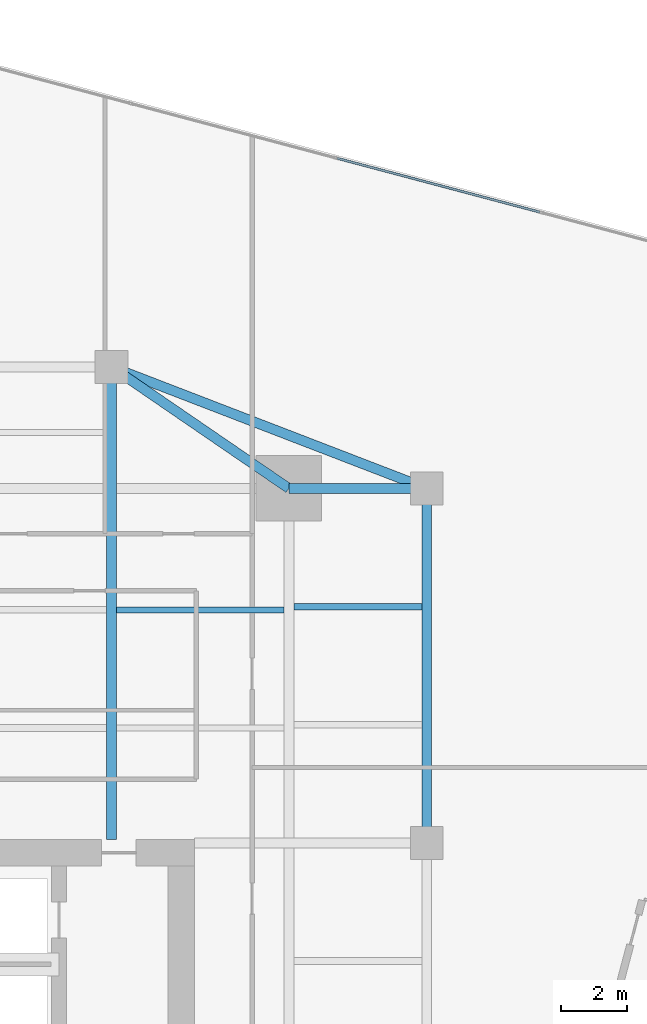
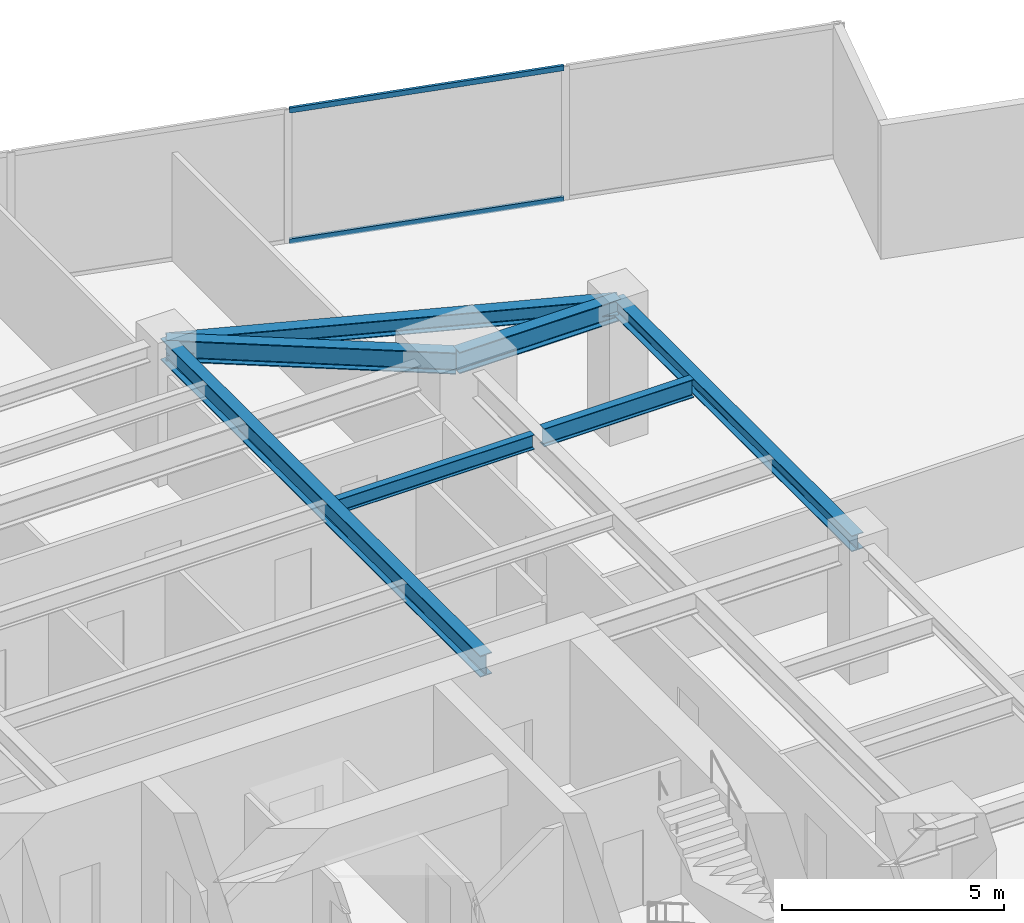
# One storey, part 19 of 27: 7 beams, 2 members, 1 element without a shape of its own.
"""IFC4 building model written with IfcOpenShell, lengths in metres."""

from ifc_helpers import new_model, si_unit, direction, frame, origin, origin_2d, place, context, subcontext, project, spatial, hollow_rectangle, i_section, extrude, source, transform, mapped, material, material_profile, profile_set, type_object, type_shapes, element, aggregate, save


model = new_model("IFC4")

# Units and contexts
model_context = context("Model", 3, precision=1e-05, world=origin(), true_north=direction((0.0, 1.0)))
body_context = subcontext(model_context, "Body", "Model", "MODEL_VIEW")
ifc_project = project(units=[si_unit("LENGTHUNIT", "METRE"), si_unit("AREAUNIT", "SQUARE_METRE"), si_unit("VOLUMEUNIT", "CUBIC_METRE"), si_unit("PLANEANGLEUNIT", "RADIAN"), si_unit("MASSUNIT", "GRAM", prefix="KILO")], contexts=[model_context])

# Site, building, storey
site_placement = place(None, origin())
site = spatial("IfcSite", under=ifc_project, at=site_placement, CompositionType="ELEMENT")
building_placement = place(site_placement, origin())
building = spatial("IfcBuilding", under=site, at=building_placement, Name="Krantzveldt Concourse Tower", CompositionType="ELEMENT")
storey_placement = place(building_placement, frame((0.0, 0.0, 105.85009765625)))
storey = spatial("IfcBuildingStorey", under=building, at=storey_placement, Name="L25", CompositionType="ELEMENT", Elevation=105.85009765625)

# Beams
ifc_material_1 = material(Name="Steel S355JR", Category="steel")
ifc_material_profile_1 = material_profile(ifc_material_1, i_section(OverallWidth=0.300048828125, OverallDepth=0.590087890625, WebThickness=0.012939453125, FlangeThickness=0.02490234375, FilletRadius=0.027099609375, at=origin_2d()), Name="Steel S355JR", Category="steel")
ifc_profile_set_1 = profile_set([ifc_material_profile_1], Name="Steel S355JR - HEA 600")
beam_type_1 = type_object("IfcBeamType", Name="BM-B-HEA600", PredefinedType="BEAM", material=ifc_profile_set_1)
shared_shape_1 = source(origin(), body_context, "Body", "SweptSolid", [
    extrude(i_section(OverallWidth=0.300048828125, OverallDepth=0.590087890625, WebThickness=0.012939453125, FlangeThickness=0.02490234375, FilletRadius=0.027099609375, at=origin_2d()), origin(), (0.0, 0.0, 1.0), 14.39990234375),
])
beam_1_placement = place(storey_placement, frame((41.39990234375, 26.800048828125, 3.375), z_axis=(0.0, 1.0, 0.0), x_axis=(-1.0, 0.0, 0.0)))
element("IfcBeam", 1, at=beam_1_placement, inside=storey, type_object=beam_type_1, Name="L25 Tower Girder BG-CNE", PredefinedType="BEAM", context=body_context, shape_type="MappedRepresentation", body=[
    mapped(shared_shape_1, transform((0.0, 0.0, 0.0), x_axis=(1.0, 0.0, 0.0), y_axis=(0.0, 1.0, 0.0), z_axis=(0.0, 0.0, 1.0), scale=1.0)),
])
ifc_material_profile_2 = material_profile(ifc_material_1, i_section(OverallWidth=0.300048828125, OverallDepth=0.43994140625, WebThickness=0.011474609375, FlangeThickness=0.02099609375, FilletRadius=0.027099609375, at=origin_2d()), Name="Steel S355JR", Category="steel")
ifc_profile_set_2 = profile_set([ifc_material_profile_2], Name="Steel S355JR - HEA 450")
beam_type_2 = type_object("IfcBeamType", Name="BM-SP-HEA450", PredefinedType="SPANDREL", material=ifc_profile_set_2)
shared_shape_2 = source(origin(), body_context, "Body", "SweptSolid", [
    extrude(i_section(OverallWidth=0.300048828125, OverallDepth=0.43994140625, WebThickness=0.011474609375, FlangeThickness=0.02099609375, FilletRadius=0.027099609375, at=origin_2d()), origin(), (0.0, 0.0, 1.0), 10.800048828125),
])
beam_2_placement = place(storey_placement, frame((51.0, 37.5, 3.449951171875), z_axis=(0.0, -1.0, 0.0), x_axis=(1.0, 0.0, 0.0)))
element("IfcBeam", 2, at=beam_2_placement, inside=storey, type_object=beam_type_2, Name="L25 Tower Girder SP-R06", PredefinedType="SPANDREL", context=body_context, shape_type="MappedRepresentation", body=[
    mapped(shared_shape_2, transform((0.0, 0.0, 0.0), x_axis=(1.0, 0.0, 0.0), y_axis=(0.0, 1.0, 0.0), z_axis=(0.0, 0.0, 1.0), scale=1.0)),
])
shared_shape_3 = source(origin(), body_context, "Body", "SweptSolid", [
    extrude(i_section(OverallWidth=0.300048828125, OverallDepth=0.43994140625, WebThickness=0.011474609375, FlangeThickness=0.02099609375, FilletRadius=0.027099609375, at=origin_2d()), origin(), (0.0, 0.0, 1.0), 10.288330078125),
])
type_shapes(beam_type_2, [shared_shape_2, shared_shape_3])
beam_3_placement = place(storey_placement, frame((41.39990234375, 41.199951171875, 3.449951171875), z_axis=(0.933097690408, -0.359622997257, 0.0), x_axis=(0.359622997257, 0.933097690408, 0.0)))
element("IfcBeam", 3, at=beam_3_placement, inside=storey, type_object=beam_type_2, Name="L25 Tower Girder SP-R05", PredefinedType="SPANDREL", context=body_context, shape_type="MappedRepresentation", body=[
    mapped(shared_shape_3, transform((0.0, 0.0, 0.0), x_axis=(1.0, 0.0, 0.0), y_axis=(0.0, 1.0, 0.0), z_axis=(0.0, 0.0, 1.0), scale=1.0)),
])
shared_shape_4 = source(origin(), body_context, "Body", "SweptSolid", [
    extrude(i_section(OverallWidth=0.300048828125, OverallDepth=0.590087890625, WebThickness=0.012939453125, FlangeThickness=0.02490234375, FilletRadius=0.027099609375, at=origin_2d()), origin(), (0.0, 0.0, 1.0), 4.199951171875),
])
beam_4_placement = place(storey_placement, frame((46.800048828125, 37.5, 3.375), z_axis=(1.0, 0.0, 0.0), x_axis=(0.0, 1.0, 0.0)))
element("IfcBeam", 4, at=beam_4_placement, inside=storey, type_object=beam_type_1, Name="L25 Tower Girder BR-RR3", PredefinedType="BEAM", context=body_context, shape_type="MappedRepresentation", body=[
    mapped(shared_shape_4, transform((0.0, 0.0, 0.0), x_axis=(1.0, 0.0, 0.0), y_axis=(0.0, 1.0, 0.0), z_axis=(0.0, 0.0, 1.0), scale=1.0)),
])
shared_shape_5 = source(origin(), body_context, "Body", "SweptSolid", [
    extrude(i_section(OverallWidth=0.300048828125, OverallDepth=0.590087890625, WebThickness=0.012939453125, FlangeThickness=0.02490234375, FilletRadius=0.027099609375, at=origin_2d()), origin(), (0.0, 0.0, 1.0), 6.546142578125),
])
type_shapes(beam_type_1, [shared_shape_1, shared_shape_4, shared_shape_5])
beam_5_placement = place(storey_placement, frame((46.800048828125, 37.5, 3.375), z_axis=(-0.824942999484, 0.565215930068, 0.0), x_axis=(-0.565215930068, -0.824942999484, 0.0)))
element("IfcBeam", 5, at=beam_5_placement, inside=storey, type_object=beam_type_1, Name="L25 Tower Girder BR-RR4", PredefinedType="BEAM", context=body_context, shape_type="MappedRepresentation", body=[
    mapped(shared_shape_5, transform((0.0, 0.0, 0.0), x_axis=(1.0, 0.0, 0.0), y_axis=(0.0, 1.0, 0.0), z_axis=(0.0, 0.0, 1.0), scale=1.0)),
])
ifc_material_profile_3 = material_profile(ifc_material_1, i_section(OverallWidth=0.179931640625, OverallDepth=0.39990234375, WebThickness=0.008544921875, FlangeThickness=0.013427734375, FilletRadius=0.02099609375, at=origin_2d()), Name="Steel S355JR", Category="steel")
ifc_profile_set_3 = profile_set([ifc_material_profile_3], Name="Steel S355JR - IPE 400")
beam_type_3 = type_object("IfcBeamType", Name="BM-J-IPE400", PredefinedType="JOIST", material=ifc_profile_set_3)
shared_shape_6 = source(origin(), body_context, "Body", "SweptSolid", [
    extrude(i_section(OverallWidth=0.179931640625, OverallDepth=0.39990234375, WebThickness=0.008544921875, FlangeThickness=0.013427734375, FilletRadius=0.02099609375, at=origin_2d()), origin(), (0.0, 0.0, 1.0), 5.099853515625),
])
type_shapes(beam_type_3, [shared_shape_6])
beam_6_placement = place(storey_placement, frame((41.550048828125, 33.800048828125, 3.469970703125), z_axis=(1.0, 0.0, 0.0), x_axis=(0.0, 1.0, 0.0)))
element("IfcBeam", 6, at=beam_6_placement, inside=storey, type_object=beam_type_3, Name="L25 Secondary Floor Joist JN-E2", PredefinedType="JOIST", context=body_context, shape_type="MappedRepresentation", body=[
    mapped(shared_shape_6, transform((0.0, 0.0, 0.0), x_axis=(1.0, 0.0, 0.0), y_axis=(0.0, 1.0, 0.0), z_axis=(0.0, 0.0, 1.0), scale=1.0)),
])
ifc_material_profile_4 = material_profile(ifc_material_1, i_section(OverallWidth=0.199951171875, OverallDepth=0.5, WebThickness=0.01025390625, FlangeThickness=0.01611328125, FilletRadius=0.02099609375, at=origin_2d()), Name="Steel S355JR", Category="steel")
ifc_profile_set_4 = profile_set([ifc_material_profile_4], Name="Steel S355JR - IPE 500")
beam_type_4 = type_object("IfcBeamType", Name="BM-J-IPE500", PredefinedType="JOIST", material=ifc_profile_set_4)
shared_shape_7 = source(origin(), body_context, "Body", "SweptSolid", [
    extrude(i_section(OverallWidth=0.199951171875, OverallDepth=0.5, WebThickness=0.01025390625, FlangeThickness=0.01611328125, FilletRadius=0.02099609375, at=origin_2d()), origin(), (0.0, 0.0, 1.0), 3.900146484375),
])
type_shapes(beam_type_4, [shared_shape_7])
beam_7_placement = place(storey_placement, frame((46.949951171875, 33.89990234375, 3.419921875), z_axis=(1.0, 0.0, 0.0), x_axis=(0.0, 1.0, 0.0)))
element("IfcBeam", 7, at=beam_7_placement, inside=storey, type_object=beam_type_4, Name="L25 Secondary Floor Joist JE-4", PredefinedType="JOIST", context=body_context, shape_type="MappedRepresentation", body=[
    mapped(shared_shape_7, transform((0.0, 0.0, 0.0), x_axis=(1.0, 0.0, 0.0), y_axis=(0.0, 1.0, 0.0), z_axis=(0.0, 0.0, 1.0), scale=1.0)),
])

# Curtain wall, members
ifc_material_2 = material(Name="Anodised aluminium 6063-T6", Category="aluminium")
curtain_wall_type = type_object("IfcCurtainWallType", Name="CW2", PredefinedType="USERDEFINED", material=ifc_material_2)
curtain_wall_placement = place(storey_placement, origin())
curtain_wall = element("IfcCurtainWall", 8, at=curtain_wall_placement, inside=storey, type_object=curtain_wall_type, Name="CW-L25-F14", ObjectType="UNITISED CURTAIN WALL", PredefinedType="USERDEFINED")
ifc_material_profile_5 = material_profile(ifc_material_2, hollow_rectangle(XDim=0.070068359375, YDim=0.139892578125, WallThickness=0.0048828125, at=origin_2d()), Name="Anodised aluminium 6063-T6", Category="aluminium")
ifc_profile_set_5 = profile_set([ifc_material_profile_5], Name="Anodised aluminium 6063-T6 - ALU-TRAN 140x70x5")
member_type = type_object("IfcMemberType", Name="CW-TRN-150", PredefinedType="USERDEFINED", material=ifc_profile_set_5)
shared_shape_8 = source(origin(), body_context, "Body", "SweptSolid", [
    extrude(hollow_rectangle(XDim=0.070068359375, YDim=0.139892578125, WallThickness=0.0048828125, at=origin_2d()), origin(), (0.0, 0.0, 1.0), 6.396484375),
])
type_shapes(member_type, [shared_shape_8])
member_1_placement = place(storey_placement, frame((54.449951171875, 45.917724609375, 0.034912109375), z_axis=(-0.966486606622, 0.256717041156, 0.0), x_axis=(-0.256717041156, -0.966486606622, 0.0)))
member_1 = element("IfcMember", 9, at=member_1_placement, type_object=member_type, Name="CW-Z12 transom 2.1", ObjectType="TRANSOM", PredefinedType="USERDEFINED", context=body_context, shape_type="MappedRepresentation", body=[
    mapped(shared_shape_8, transform((0.0, 0.0, 0.0), x_axis=(1.0, 0.0, 0.0), y_axis=(0.0, 1.0, 0.0), z_axis=(0.0, 0.0, 1.0), scale=1.0)),
])
member_2_placement = place(storey_placement, frame((54.449951171875, 45.917724609375, 3.635009765625), z_axis=(-0.966486606622, 0.256717041156, 0.0), x_axis=(-0.256717041156, -0.966486606622, 0.0)))
member_2 = element("IfcMember", 10, at=member_2_placement, type_object=member_type, Name="CW-Z12 transom 2.2", ObjectType="TRANSOM", PredefinedType="USERDEFINED", context=body_context, shape_type="MappedRepresentation", body=[
    mapped(shared_shape_8, transform((0.0, 0.0, 0.0), x_axis=(1.0, 0.0, 0.0), y_axis=(0.0, 1.0, 0.0), z_axis=(0.0, 0.0, 1.0), scale=1.0)),
])
aggregate(curtain_wall, [member_1, member_2])

save(model, "model.ifc")
